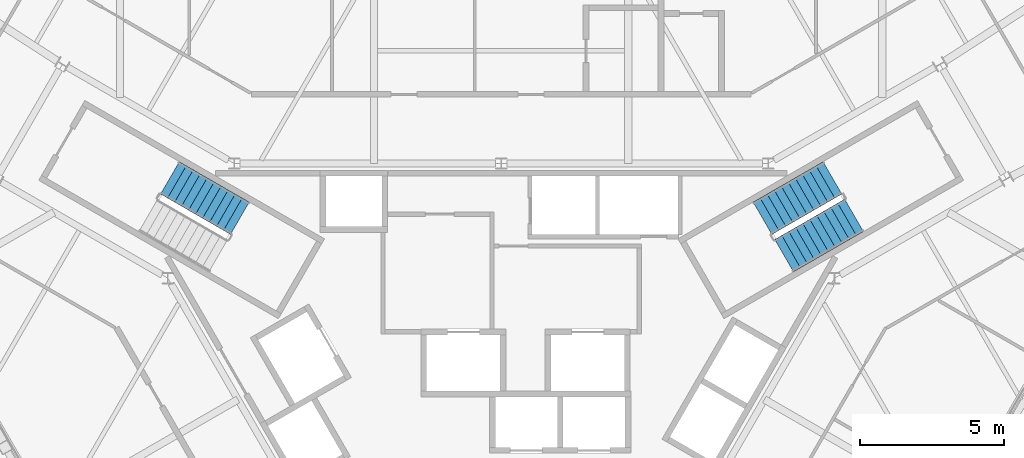
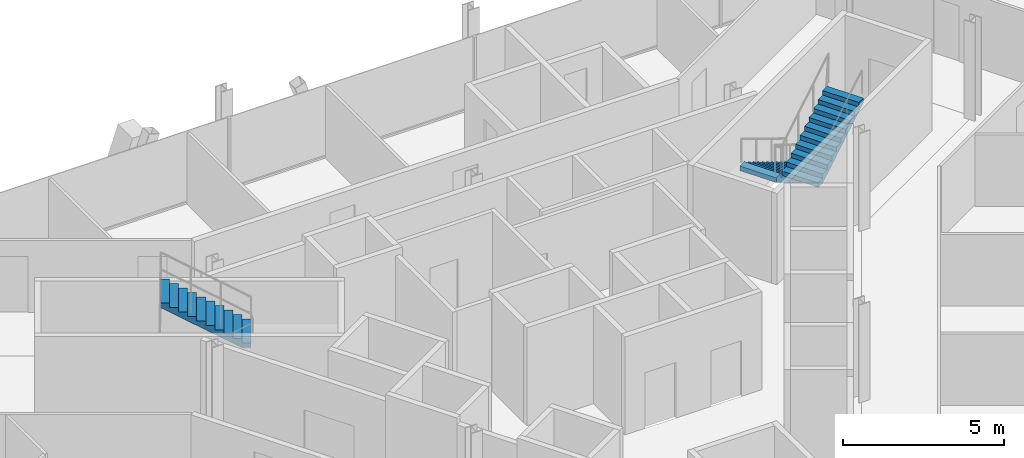
# One storey, part 12 of 14: 3 stair flights, 2 elements without a shape of their own.
"""IFC4 building model written with IfcOpenShell, lengths in metres."""

from ifc_helpers import new_model, si_unit, direction, frame, origin, place, context, subcontext, project, spatial, polyline, outline, extrude, material, type_object, element, aggregate, save


model = new_model("IFC4")

# Units and contexts
model_context = context("Model", 3, precision=1e-05, world=origin(), true_north=direction((0.0, 1.0)))
body_context = subcontext(model_context, "Body", "Model", "MODEL_VIEW")
ifc_project = project(units=[si_unit("LENGTHUNIT", "METRE"), si_unit("AREAUNIT", "SQUARE_METRE"), si_unit("VOLUMEUNIT", "CUBIC_METRE"), si_unit("PLANEANGLEUNIT", "RADIAN"), si_unit("MASSUNIT", "GRAM", prefix="KILO")], contexts=[model_context])

# Site, building, storey
site_placement = place(None, origin())
site = spatial("IfcSite", under=ifc_project, at=site_placement, CompositionType="ELEMENT")
building_placement = place(site_placement, origin())
building = spatial("IfcBuilding", under=site, at=building_placement, Name="Verrane Prism Tower", CompositionType="ELEMENT")
storey_placement = place(building_placement, frame((0.0, 0.0, 221.199951171875)))
storey = spatial("IfcBuildingStorey", under=building, at=storey_placement, Name="L55", CompositionType="ELEMENT", Elevation=221.199951171875)

# Stair, stair flights
ifc_material_1 = material(Name="Concrete C40/50", Category="concrete")
stair_type = type_object("IfcStairType", Name="Exit stair 1300 dog-leg precast concrete C40/50", PredefinedType="HALF_TURN_STAIR", material=ifc_material_1)
stair_1_placement = place(storey_placement, origin())
stair_1 = element("IfcStair", 1, at=stair_1_placement, inside=storey, type_object=stair_type, Name="Stair 1 L55", PredefinedType="HALF_TURN_STAIR")
ifc_material_2 = material(Name="Concrete C40/50", Category="concrete")
stair_flight_type = type_object("IfcStairFlightType", Name="Stair flight 1300 precast concrete C40/50", PredefinedType="STRAIGHT", material=ifc_material_2)
stair_flight_1_placement = place(storey_placement, frame((11.489501953125, 7.49951171875, 0.0), z_axis=(0.0, 0.0, 1.0), x_axis=(-0.866025403784, -0.5, 0.0)))
stair_flight_1 = element("IfcStairFlight", 2, at=stair_flight_1_placement, type_object=stair_flight_type, Name="Stair 1 flight 1", NumberOfRisers=11, NumberOfTreads=10, PredefinedType="STRAIGHT", RiserHeight=0.168181818, TreadLength=0.28, context=body_context, shape_type="SweptSolid", body=[
    extrude(outline(polyline([(0.0, 0.0), (0.0, 0.168212890625), (0.280029296875, 0.168212890625), (0.280029296875, 0.33642578125), (0.56005859375, 0.33642578125), (0.56005859375, 0.504638671875), (0.840087890625, 0.504638671875), (0.840087890625, 0.672607421875), (1.1201171875, 0.672607421875), (1.1201171875, 0.8408203125), (1.39990234375, 0.8408203125), (1.39990234375, 1.009033203125), (1.679931640625, 1.009033203125), (1.679931640625, 1.17724609375), (1.9599609375, 1.17724609375), (1.9599609375, 1.345458984375), (2.239990234375, 1.345458984375), (2.239990234375, 1.513671875), (2.52001953125, 1.513671875), (2.52001953125, 1.681884765625), (2.800048828125, 1.681884765625), (2.800048828125, 1.85009765625), (2.800048828125, 1.5068359375), (0.291015625, 0.0), (0.0, 0.0)])), frame((0.0, 0.64990234375, 0.0), z_axis=(0.0, -1.0, 0.0), x_axis=(1.0, 0.0, 0.0)), (0.0, 0.0, 1.0), 1.300048828125),
])
stair_flight_2_placement = place(storey_placement, frame((9.814697265625, 4.800537109375, 1.85009765625), z_axis=(0.0, 0.0, 1.0), x_axis=(0.866025403784, 0.5, 0.0)))
stair_flight_2 = element("IfcStairFlight", 3, at=stair_flight_2_placement, type_object=stair_flight_type, Name="Stair 1 flight 2", NumberOfRisers=11, NumberOfTreads=10, PredefinedType="STRAIGHT", RiserHeight=0.168181818, TreadLength=0.28, context=body_context, shape_type="SweptSolid", body=[
    extrude(outline(polyline([(0.0, 0.0), (0.0, 0.168212890625), (0.280029296875, 0.168212890625), (0.280029296875, 0.33642578125), (0.56005859375, 0.33642578125), (0.56005859375, 0.504638671875), (0.840087890625, 0.504638671875), (0.840087890625, 0.672607421875), (1.1201171875, 0.672607421875), (1.1201171875, 0.8408203125), (1.39990234375, 0.8408203125), (1.39990234375, 1.009033203125), (1.679931640625, 1.009033203125), (1.679931640625, 1.17724609375), (1.9599609375, 1.17724609375), (1.9599609375, 1.345458984375), (2.239990234375, 1.345458984375), (2.239990234375, 1.513671875), (2.52001953125, 1.513671875), (2.52001953125, 1.681884765625), (2.800048828125, 1.681884765625), (2.800048828125, 1.85009765625), (2.800048828125, 1.5068359375), (0.291015625, 0.0), (0.0, 0.0)])), frame((0.0, 0.64990234375, 0.0), z_axis=(0.0, -1.0, 0.0), x_axis=(1.0, 0.0, 0.0)), (0.0, 0.0, 1.0), 1.300048828125),
])
aggregate(stair_1, [stair_flight_1, stair_flight_2])

# Stair, stair flight
stair_2_placement = place(storey_placement, origin())
stair_2 = element("IfcStair", 4, at=stair_2_placement, inside=storey, type_object=stair_type, Name="Stair 2 L55", PredefinedType="HALF_TURN_STAIR")
stair_flight_3_placement = place(storey_placement, frame((-9.064697265625, 6.099609375, 1.85009765625), z_axis=(0.0, 0.0, 1.0), x_axis=(-0.866025403784, 0.5, 0.0)))
stair_flight_3 = element("IfcStairFlight", 5, at=stair_flight_3_placement, type_object=stair_flight_type, Name="Stair 2 flight 2", NumberOfRisers=11, NumberOfTreads=10, PredefinedType="STRAIGHT", RiserHeight=0.168181818, TreadLength=0.28, context=body_context, shape_type="SweptSolid", body=[
    extrude(outline(polyline([(0.0, 0.0), (0.0, 0.168212890625), (0.280029296875, 0.168212890625), (0.280029296875, 0.33642578125), (0.56005859375, 0.33642578125), (0.56005859375, 0.504638671875), (0.840087890625, 0.504638671875), (0.840087890625, 0.672607421875), (1.1201171875, 0.672607421875), (1.1201171875, 0.8408203125), (1.39990234375, 0.8408203125), (1.39990234375, 1.009033203125), (1.679931640625, 1.009033203125), (1.679931640625, 1.17724609375), (1.9599609375, 1.17724609375), (1.9599609375, 1.345458984375), (2.239990234375, 1.345458984375), (2.239990234375, 1.513671875), (2.52001953125, 1.513671875), (2.52001953125, 1.681884765625), (2.800048828125, 1.681884765625), (2.800048828125, 1.85009765625), (2.800048828125, 1.5068359375), (0.291015625, 0.0), (0.0, 0.0)])), frame((0.0, 0.64990234375, 0.0), z_axis=(0.0, -1.0, 0.0), x_axis=(1.0, 0.0, 0.0)), (0.0, 0.0, 1.0), 1.300048828125),
])
aggregate(stair_2, [stair_flight_3])

save(model, "model.ifc")
